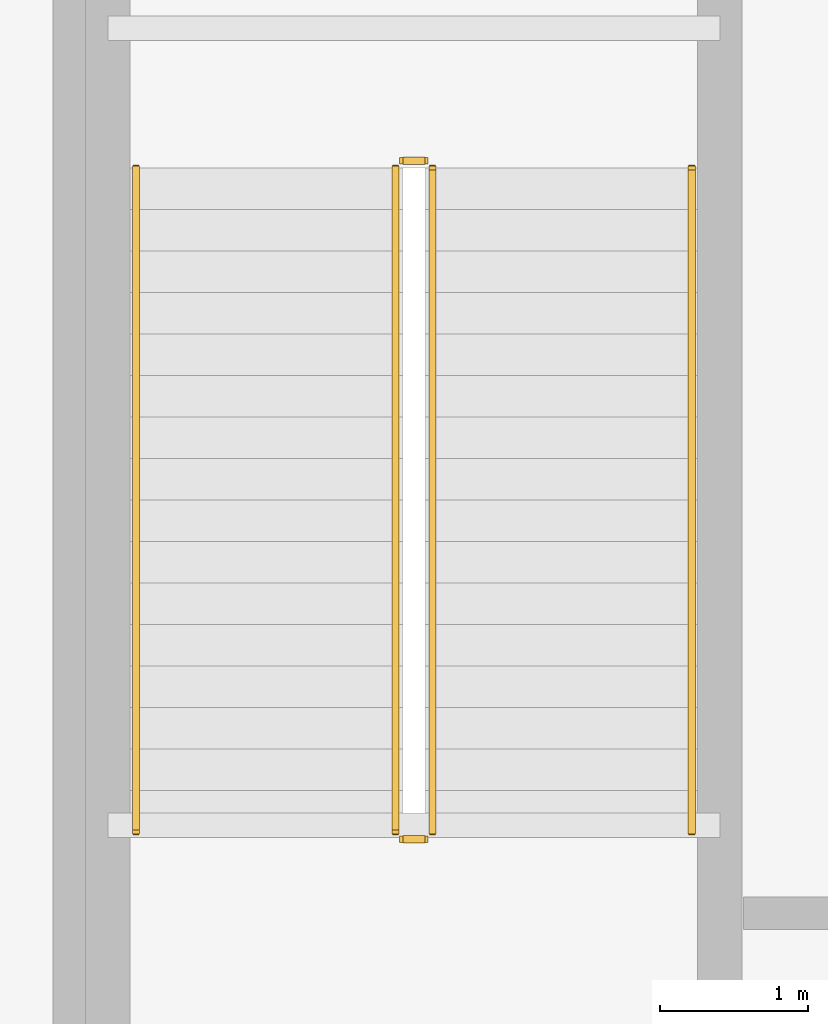
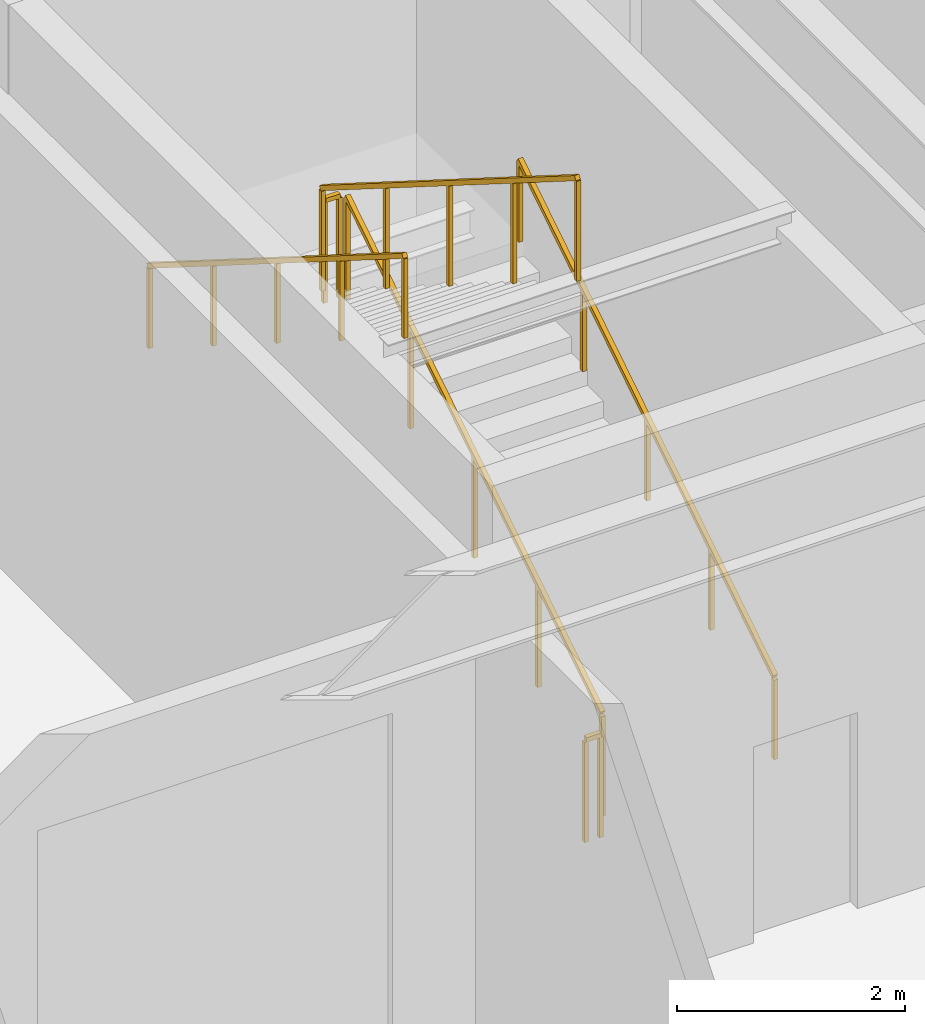
# One storey, part 22 of 23: 6 railings.
"""IFC4 building model written with IfcOpenShell, lengths in metres."""

from ifc_helpers import new_model, si_unit, direction, frame, origin, origin_2d, place, context, subcontext, project, spatial, rectangle, extrude, material, type_object, element, save


model = new_model("IFC4")

# Units and contexts
model_context = context("Model", 3, precision=1e-05, world=origin(), true_north=direction((0.0, 1.0)))
body_context = subcontext(model_context, "Body", "Model", "MODEL_VIEW")
ifc_project = project(units=[si_unit("LENGTHUNIT", "METRE"), si_unit("AREAUNIT", "SQUARE_METRE"), si_unit("VOLUMEUNIT", "CUBIC_METRE"), si_unit("PLANEANGLEUNIT", "RADIAN"), si_unit("MASSUNIT", "GRAM", prefix="KILO")], contexts=[model_context])

# Site, building, storey
site_placement = place(None, origin())
site = spatial("IfcSite", under=ifc_project, at=site_placement, CompositionType="ELEMENT")
building_placement = place(site_placement, origin())
building = spatial("IfcBuilding", under=site, at=building_placement, Name="Vantalir Tower", CompositionType="ELEMENT")
storey_placement = place(building_placement, origin())
storey = spatial("IfcBuildingStorey", under=building, at=storey_placement, Name="L00", CompositionType="ELEMENT", Elevation=0.0)

# Railings
ifc_material_1 = material(Name="Anodised aluminium and stainless steel guard", Category="steel")
railing_type_1 = type_object("IfcRailingType", Name="RAL-GUARD-1120", PredefinedType="GUARDRAIL", material=ifc_material_1)
railing_1_placement = place(storey_placement, frame((57.199951171875, 40.85009765625, 0.176513671875)))
element("IfcRailing", 1, at=railing_1_placement, inside=storey, type_object=railing_type_1, Name="L00 PST2 stair guard 1", PredefinedType="GUARDRAIL", context=body_context, shape_type="SweptSolid", body=[
    extrude(rectangle(XDim=0.048095703125, YDim=0.048095703125, at=origin_2d()), frame((0.0, 0.0, 1.09619140625), z_axis=(0.0, 0.845997938375, 0.533186166611), x_axis=(-1.0, 0.0, 0.0)), (0.0, 0.0, 1.0), 5.29541015625),
    extrude(rectangle(XDim=0.0419921875, YDim=0.0419921875, at=origin_2d()), origin(), (0.0, 0.0, 1.0), 1.072021484375),
    extrude(rectangle(XDim=0.0419921875, YDim=0.0419921875, at=origin_2d()), frame((0.0, 1.1201171875, 0.705810546875)), (0.0, 0.0, 1.0), 1.072021484375),
    extrude(rectangle(XDim=0.0419921875, YDim=0.0419921875, at=origin_2d()), frame((0.0, 2.239990234375, 1.41162109375)), (0.0, 0.0, 1.0), 1.072021484375),
    extrude(rectangle(XDim=0.0419921875, YDim=0.0419921875, at=origin_2d()), frame((0.0, 3.35986328125, 2.11767578125)), (0.0, 0.0, 1.0), 1.072021484375),
    extrude(rectangle(XDim=0.0419921875, YDim=0.0419921875, at=origin_2d()), frame((0.0, 4.47998046875, 2.823486328125)), (0.0, 0.0, 1.0), 1.072021484375),
])
railing_2_placement = place(storey_placement, frame((57.14990234375, 45.3798828125, 3.0)))
element("IfcRailing", 2, at=railing_2_placement, inside=storey, type_object=railing_type_1, Name="L00 PST2 stair guard 2", PredefinedType="GUARDRAIL", context=body_context, shape_type="SweptSolid", body=[
    extrude(rectangle(XDim=0.048095703125, YDim=0.048095703125, at=origin_2d()), frame((0.0, 0.0, 1.09619140625), z_axis=(-1.0, 0.0, 0.0), x_axis=(0.0, -1.0, 0.0)), (0.0, 0.0, 1.0), 0.14990234375),
    extrude(rectangle(XDim=0.0419921875, YDim=0.0419921875, at=origin_2d()), origin(), (0.0, 0.0, 1.0), 1.072021484375),
    extrude(rectangle(XDim=0.0419921875, YDim=0.0419921875, at=origin_2d()), frame((-0.14990234375, 0.0, 0.0)), (0.0, 0.0, 1.0), 1.072021484375),
])
railing_3_placement = place(storey_placement, frame((56.949951171875, 45.330078125, 3.176513671875)))
element("IfcRailing", 3, at=railing_3_placement, inside=storey, type_object=railing_type_1, Name="L00 PST2 stair guard 3", PredefinedType="GUARDRAIL", context=body_context, shape_type="SweptSolid", body=[
    extrude(rectangle(XDim=0.048095703125, YDim=0.048095703125, at=origin_2d()), frame((0.0, 0.0, 1.09619140625), z_axis=(0.0, -0.845997938375, 0.533186166611), x_axis=(1.0, 0.0, 0.0)), (0.0, 0.0, 1.0), 5.29541015625),
    extrude(rectangle(XDim=0.0419921875, YDim=0.0419921875, at=origin_2d()), origin(), (0.0, 0.0, 1.0), 1.072021484375),
    extrude(rectangle(XDim=0.0419921875, YDim=0.0419921875, at=origin_2d()), frame((0.0, -1.1201171875, 0.705810546875)), (0.0, 0.0, 1.0), 1.072021484375),
    extrude(rectangle(XDim=0.0419921875, YDim=0.0419921875, at=origin_2d()), frame((0.0, -2.239990234375, 1.41162109375)), (0.0, 0.0, 1.0), 1.072021484375),
    extrude(rectangle(XDim=0.0419921875, YDim=0.0419921875, at=origin_2d()), frame((0.0, -3.35986328125, 2.11767578125)), (0.0, 0.0, 1.0), 1.072021484375),
    extrude(rectangle(XDim=0.0419921875, YDim=0.0419921875, at=origin_2d()), frame((0.0, -4.47998046875, 2.823486328125)), (0.0, 0.0, 1.0), 1.072021484375),
])
railing_4_placement = place(storey_placement, frame((57.14990234375, 40.800048828125, 0.0)))
element("IfcRailing", 4, at=railing_4_placement, inside=storey, type_object=railing_type_1, Name="L00 PST2 stair guard 4", PredefinedType="GUARDRAIL", context=body_context, shape_type="SweptSolid", body=[
    extrude(rectangle(XDim=0.048095703125, YDim=0.048095703125, at=origin_2d()), frame((0.0, 0.0, 1.09619140625), z_axis=(-1.0, 0.0, 0.0), x_axis=(0.0, -1.0, 0.0)), (0.0, 0.0, 1.0), 0.14990234375),
    extrude(rectangle(XDim=0.0419921875, YDim=0.0419921875, at=origin_2d()), origin(), (0.0, 0.0, 1.0), 1.072021484375),
    extrude(rectangle(XDim=0.0419921875, YDim=0.0419921875, at=origin_2d()), frame((-0.14990234375, 0.0, 0.0)), (0.0, 0.0, 1.0), 1.072021484375),
])
ifc_material_2 = material(Name="Brushed stainless steel tubular handrail", Category="steel")
railing_type_2 = type_object("IfcRailingType", Name="RAL-HANDRAIL-900", PredefinedType="HANDRAIL", material=ifc_material_2)
railing_5_placement = place(storey_placement, frame((58.949951171875, 40.85009765625, 0.176513671875)))
element("IfcRailing", 5, at=railing_5_placement, inside=storey, type_object=railing_type_2, Name="L00 PST2 stair handrail 1", PredefinedType="HANDRAIL", context=body_context, shape_type="SweptSolid", body=[
    extrude(rectangle(XDim=0.048095703125, YDim=0.048095703125, at=origin_2d()), frame((0.0, 0.0, 0.8759765625), z_axis=(0.0, 0.845997938375, 0.533186166611), x_axis=(-1.0, 0.0, 0.0)), (0.0, 0.0, 1.0), 5.29541015625),
    extrude(rectangle(XDim=0.0419921875, YDim=0.0419921875, at=origin_2d()), origin(), (0.0, 0.0, 1.0), 0.851806640625),
    extrude(rectangle(XDim=0.0419921875, YDim=0.0419921875, at=origin_2d()), frame((0.0, 1.1201171875, 0.705810546875)), (0.0, 0.0, 1.0), 0.851806640625),
    extrude(rectangle(XDim=0.0419921875, YDim=0.0419921875, at=origin_2d()), frame((0.0, 2.239990234375, 1.41162109375)), (0.0, 0.0, 1.0), 0.851806640625),
    extrude(rectangle(XDim=0.0419921875, YDim=0.0419921875, at=origin_2d()), frame((0.0, 3.35986328125, 2.11767578125)), (0.0, 0.0, 1.0), 0.851806640625),
    extrude(rectangle(XDim=0.0419921875, YDim=0.0419921875, at=origin_2d()), frame((0.0, 4.47998046875, 2.823486328125)), (0.0, 0.0, 1.0), 0.851806640625),
])
railing_6_placement = place(storey_placement, frame((55.199951171875, 45.330078125, 3.176513671875)))
element("IfcRailing", 6, at=railing_6_placement, inside=storey, type_object=railing_type_2, Name="L00 PST2 stair handrail 2", PredefinedType="HANDRAIL", context=body_context, shape_type="SweptSolid", body=[
    extrude(rectangle(XDim=0.048095703125, YDim=0.048095703125, at=origin_2d()), frame((0.0, 0.0, 0.8759765625), z_axis=(0.0, -0.845997938375, 0.533186166611), x_axis=(1.0, 0.0, 0.0)), (0.0, 0.0, 1.0), 5.29541015625),
    extrude(rectangle(XDim=0.0419921875, YDim=0.0419921875, at=origin_2d()), origin(), (0.0, 0.0, 1.0), 0.851806640625),
    extrude(rectangle(XDim=0.0419921875, YDim=0.0419921875, at=origin_2d()), frame((0.0, -1.1201171875, 0.705810546875)), (0.0, 0.0, 1.0), 0.851806640625),
    extrude(rectangle(XDim=0.0419921875, YDim=0.0419921875, at=origin_2d()), frame((0.0, -2.239990234375, 1.41162109375)), (0.0, 0.0, 1.0), 0.851806640625),
    extrude(rectangle(XDim=0.0419921875, YDim=0.0419921875, at=origin_2d()), frame((0.0, -3.35986328125, 2.11767578125)), (0.0, 0.0, 1.0), 0.851806640625),
    extrude(rectangle(XDim=0.0419921875, YDim=0.0419921875, at=origin_2d()), frame((0.0, -4.47998046875, 2.823486328125)), (0.0, 0.0, 1.0), 0.851806640625),
])

save(model, "model.ifc")
